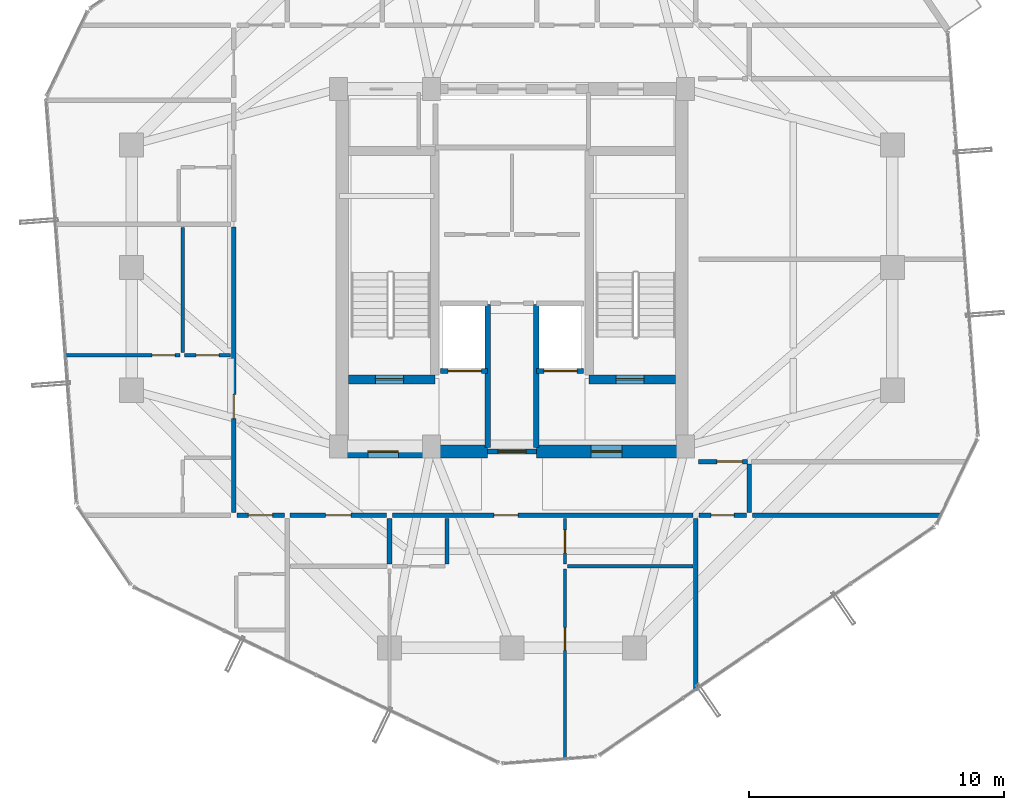
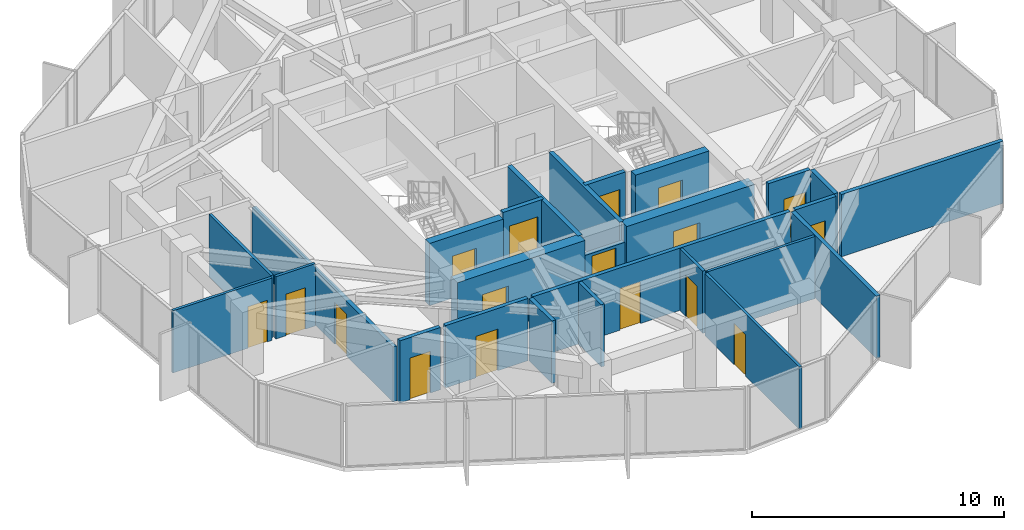
# One storey, part 30 of 34: 26 walls, 17 doors, 17 openings.
"""IFC4 building model written with IfcOpenShell, lengths in metres."""

from ifc_helpers import new_model, si_unit, direction, frame, frame_2d, origin, place, context, subcontext, project, spatial, rectangle, extrude, source, transform, mapped, material, layer, layer_set, type_object, element, fill, save


model = new_model("IFC4")

# Units and contexts
model_context = context("Model", 3, precision=1e-05, world=origin(), true_north=direction((0.0, 1.0)))
body_context = subcontext(model_context, "Body", "Model", "MODEL_VIEW")
ifc_project = project(units=[si_unit("LENGTHUNIT", "METRE"), si_unit("AREAUNIT", "SQUARE_METRE"), si_unit("VOLUMEUNIT", "CUBIC_METRE"), si_unit("PLANEANGLEUNIT", "RADIAN"), si_unit("MASSUNIT", "GRAM", prefix="KILO")], contexts=[model_context])

# Site, building, storey
site_placement = place(None, origin())
site = spatial("IfcSite", under=ifc_project, at=site_placement, CompositionType="ELEMENT")
building_placement = place(site_placement, origin())
building = spatial("IfcBuilding", under=site, at=building_placement, Name="Veraguas Prism Commons", CompositionType="ELEMENT")
storey_placement = place(building_placement, frame((0.0, 0.0, 191.85009765625)))
storey = spatial("IfcBuildingStorey", under=building, at=storey_placement, Name="L54", CompositionType="ELEMENT", Elevation=191.85009765625)

# Wall, opening, door
ifc_material_1 = material(Name="Concrete C50/60", Category="concrete")
ifc_layer_1 = layer(ifc_material_1, 0.35009765625, Name="Core Internal Shear Wall Upper RC 350", Category="concrete")
ifc_layer_set_1 = layer_set([ifc_layer_1], Name="Concrete C50/60")
wall_type_1 = type_object("IfcWallType", Name="Core Internal Shear Wall Upper RC 350", PredefinedType="SHEAR", material=ifc_layer_set_1)
wall_1_placement = place(storey_placement, frame((17.60009765625, 19.625, 0.0), z_axis=(0.0, 0.0, 1.0), x_axis=(1.0, 0.0, 0.0)))
wall_1 = element("IfcWall", 1, at=wall_1_placement, inside=storey, type_object=wall_type_1, Name="Stair ST-01 South Shear Wall L54", PredefinedType="SHEAR", context=body_context, shape_type="SweptSolid", body=[
    extrude(rectangle(XDim=3.375, YDim=0.35009765625, at=frame_2d((1.6875, 0.0))), origin(), (0.0, 0.0, 1.0), 3.014892578125),
])
opening_1_placement = place(wall_1_placement, frame((1.050048828125, 0.0, 0.0)))
opening_1 = element("IfcOpeningElement", 2, at=opening_1_placement, cuts=wall_1, Name="Opening DR-05", PredefinedType="OPENING", context=body_context, shape_type="SweptSolid", body=[
    extrude(rectangle(XDim=1.10009765625, YDim=2.030029296875, at=frame_2d((0.550048828125, 1.01513671875))), frame((0.0, 0.18505859375, 0.0), z_axis=(0.0, -1.0, 0.0), x_axis=(1.0, 0.0, 0.0)), (0.0, 0.0, 1.0), 0.3701171875),
])
ifc_material_2 = material(Name="Steel fire-rated door assembly", Category="steel")
door_type_1 = type_object("IfcDoorType", Name="Protected Stair and Refuge Fire Door 1100x2030", OperationType="NOTDEFINED", PredefinedType="DOOR", material=ifc_material_2)
shared_shape_1 = source(origin(), body_context, "Body", "SweptSolid", [
    extrude(rectangle(XDim=1.10009765625, YDim=2.030029296875, at=frame_2d((0.550048828125, 1.01513671875))), frame((0.0, 0.02490234375, 0.0), z_axis=(0.0, -1.0, 0.0), x_axis=(1.0, 0.0, 0.0)), (0.0, 0.0, 1.0), 0.050048828125),
])
door_1_placement = place(opening_1_placement, origin())
door_1 = element("IfcDoor", 3, at=door_1_placement, inside=storey, type_object=door_type_1, Name="Stair ST-01 Enclosure Door L54", OperationType="SINGLE_SWING_LEFT", OverallHeight=2.030029296875, OverallWidth=1.10009765625, PredefinedType="DOOR", context=body_context, shape_type="MappedRepresentation", body=[
    mapped(shared_shape_1, transform((0.0, 0.0, 0.0), scale=1.0)),
])
fill(opening_1, door_1)

wall_2_placement = place(storey_placement, frame((27.02490234375, 19.625, 0.0), z_axis=(0.0, 0.0, 1.0), x_axis=(1.0, 0.0, 0.0)))
wall_2 = element("IfcWall", 4, at=wall_2_placement, inside=storey, type_object=wall_type_1, Name="Stair ST-02 South Shear Wall L54", PredefinedType="SHEAR", context=body_context, shape_type="SweptSolid", body=[
    extrude(rectangle(XDim=3.375, YDim=0.35009765625, at=frame_2d((1.6875, 0.0))), origin(), (0.0, 0.0, 1.0), 3.014892578125),
])
opening_2_placement = place(wall_2_placement, frame((1.050048828125, 0.0, 0.0)))
opening_2 = element("IfcOpeningElement", 5, at=opening_2_placement, cuts=wall_2, Name="Opening DR-05", PredefinedType="OPENING", context=body_context, shape_type="SweptSolid", body=[
    extrude(rectangle(XDim=1.10009765625, YDim=2.030029296875, at=frame_2d((0.550048828125, 1.01513671875))), frame((0.0, 0.18505859375, 0.0), z_axis=(0.0, -1.0, 0.0), x_axis=(1.0, 0.0, 0.0)), (0.0, 0.0, 1.0), 0.3701171875),
])
door_2_placement = place(opening_2_placement, origin())
door_2 = element("IfcDoor", 6, at=door_2_placement, inside=storey, type_object=door_type_1, Name="Stair ST-02 Enclosure Door L54", OperationType="SINGLE_SWING_RIGHT", OverallHeight=2.030029296875, OverallWidth=1.10009765625, PredefinedType="DOOR", context=body_context, shape_type="MappedRepresentation", body=[
    mapped(shared_shape_1, transform((0.0, 0.0, 0.0), scale=1.0)),
])
fill(opening_2, door_2)

ifc_layer_2 = layer(ifc_material_1, 0.5, Name="Core Outer Shear Wall Upper RC 500", Category="concrete")
ifc_layer_set_2 = layer_set([ifc_layer_2], Name="Concrete C50/60")
wall_type_2 = type_object("IfcWallType", Name="Core Outer Shear Wall Upper RC 500", PredefinedType="SHEAR", material=ifc_layer_set_2)
wall_3_placement = place(storey_placement, frame((17.199951171875, 16.800048828125, 0.0), z_axis=(0.0, 0.0, 1.0), x_axis=(1.0, 0.0, 0.0)))
wall_3 = element("IfcWall", 7, at=wall_3_placement, inside=storey, type_object=wall_type_2, Name="Central Core South-West Shear Wall L54", PredefinedType="SHEAR", context=body_context, shape_type="SweptSolid", body=[
    extrude(rectangle(XDim=5.85009765625, YDim=0.5, at=frame_2d((2.925048828125, 0.0))), origin(), (0.0, 0.0, 1.0), 3.014892578125),
])
opening_3_placement = place(wall_3_placement, frame((1.14990234375, 0.0, 0.0)))
opening_3 = element("IfcOpeningElement", 8, at=opening_3_placement, cuts=wall_3, Name="Opening DR-06", PredefinedType="OPENING", context=body_context, shape_type="SweptSolid", body=[
    extrude(rectangle(XDim=1.199951171875, YDim=2.030029296875, at=frame_2d((0.60009765625, 1.01513671875))), frame((0.0, 0.260009765625, 0.0), z_axis=(0.0, -1.0, 0.0), x_axis=(1.0, 0.0, 0.0)), (0.0, 0.0, 1.0), 0.52001953125),
])
door_type_2 = type_object("IfcDoorType", Name="Firefighting Lobby Smoke Door 1200x2030", OperationType="NOTDEFINED", PredefinedType="DOOR", material=ifc_material_2)
shared_shape_2 = source(origin(), body_context, "Body", "SweptSolid", [
    extrude(rectangle(XDim=1.199951171875, YDim=2.030029296875, at=frame_2d((0.60009765625, 1.01513671875))), frame((0.0, 0.02490234375, 0.0), z_axis=(0.0, -1.0, 0.0), x_axis=(1.0, 0.0, 0.0)), (0.0, 0.0, 1.0), 0.050048828125),
])
door_3_placement = place(opening_3_placement, origin())
door_3 = element("IfcDoor", 9, at=door_3_placement, inside=storey, type_object=door_type_2, Name="West FF Lobby Door L54", OperationType="SINGLE_SWING_RIGHT", OverallHeight=2.030029296875, OverallWidth=1.199951171875, PredefinedType="DOOR", context=body_context, shape_type="MappedRepresentation", body=[
    mapped(shared_shape_2, transform((0.0, 0.0, 0.0), scale=1.0)),
])
fill(opening_3, door_3)

wall_4_placement = place(storey_placement, frame((24.949951171875, 16.800048828125, 0.0), z_axis=(0.0, 0.0, 1.0), x_axis=(1.0, 0.0, 0.0)))
wall_4 = element("IfcWall", 10, at=wall_4_placement, inside=storey, type_object=wall_type_2, Name="Central Core South-East Shear Wall L54", PredefinedType="SHEAR", context=body_context, shape_type="SweptSolid", body=[
    extrude(rectangle(XDim=5.85009765625, YDim=0.5, at=frame_2d((2.925048828125, 0.0))), origin(), (0.0, 0.0, 1.0), 3.014892578125),
])
opening_4_placement = place(wall_4_placement, frame((2.14990234375, 0.0, 0.0)))
opening_4 = element("IfcOpeningElement", 11, at=opening_4_placement, cuts=wall_4, Name="Opening DR-06", PredefinedType="OPENING", context=body_context, shape_type="SweptSolid", body=[
    extrude(rectangle(XDim=1.199951171875, YDim=2.030029296875, at=frame_2d((0.60009765625, 1.01513671875))), frame((0.0, 0.260009765625, 0.0), z_axis=(0.0, -1.0, 0.0), x_axis=(1.0, 0.0, 0.0)), (0.0, 0.0, 1.0), 0.52001953125),
])
door_4_placement = place(opening_4_placement, origin())
door_4 = element("IfcDoor", 12, at=door_4_placement, inside=storey, type_object=door_type_2, Name="East FF Lobby Door L54", OperationType="SINGLE_SWING_RIGHT", OverallHeight=2.030029296875, OverallWidth=1.199951171875, PredefinedType="DOOR", context=body_context, shape_type="MappedRepresentation", body=[
    mapped(shared_shape_2, transform((0.0, 0.0, 0.0), scale=1.0)),
])
fill(opening_4, door_4)

# Wall
ifc_material_3 = material(Name="Autoclaved aerated masonry block 10 MPa", Category="masonry")
ifc_layer_3 = layer(ifc_material_3, 0.179931640625, Name="Corridor and Inter-Tenancy Partition 180", Category="masonry")
ifc_layer_set_3 = layer_set([ifc_layer_3], Name="Autoclaved aerated masonry block 10 MPa")
wall_type_3 = type_object("IfcWallType", Name="Corridor and Inter-Tenancy Partition 180", PredefinedType="PARTITIONING", material=ifc_layer_set_3)
wall_5_placement = place(storey_placement, frame((31.199951171875, 14.179931640625, 0.0), z_axis=(0.0, 0.0, 1.0), x_axis=(0.0, -1.0, 0.0)))
element("IfcWall", 13, at=wall_5_placement, inside=storey, type_object=wall_type_3, Name="WL-L54-PT002", PredefinedType="PARTITIONING", context=body_context, shape_type="SweptSolid", body=[
    extrude(rectangle(XDim=6.7431640625, YDim=0.179931640625, at=frame_2d((3.37158203125, 0.0))), origin(), (0.0, 0.0, 1.0), 3.014892578125),
])

# Wall, opening, door
wall_6_placement = place(storey_placement, frame((15.31005859375, 14.300048828125, 0.0), z_axis=(0.0, 0.0, 1.0), x_axis=(1.0, 0.0, 0.0)))
wall_6 = element("IfcWall", 14, at=wall_6_placement, inside=storey, type_object=wall_type_3, Name="WL-L54-PT003", PredefinedType="PARTITIONING", context=body_context, shape_type="SweptSolid", body=[
    extrude(rectangle(XDim=3.780029296875, YDim=0.179931640625, at=frame_2d((1.89013671875, 0.0))), origin(), (0.0, 0.0, 1.0), 3.014892578125),
])
opening_5_placement = place(wall_6_placement, frame((1.389892578125, 0.0, 0.0)))
opening_5 = element("IfcOpeningElement", 15, at=opening_5_placement, cuts=wall_6, Name="Opening DR-13", PredefinedType="OPENING", context=body_context, shape_type="SweptSolid", body=[
    extrude(rectangle(XDim=1.0, YDim=2.010009765625, at=frame_2d((0.5, 1.0048828125))), frame((0.0, 0.099853515625, 0.0), z_axis=(0.0, -1.0, 0.0), x_axis=(1.0, 0.0, 0.0)), (0.0, 0.0, 1.0), 0.199951171875),
])
door_type_3 = type_object("IfcDoorType", Name="Core Accessible WC and Clinic Fire Door 1000x2010", OperationType="NOTDEFINED", PredefinedType="DOOR", material=ifc_material_2)
shared_shape_3 = source(origin(), body_context, "Body", "SweptSolid", [
    extrude(rectangle(XDim=1.0, YDim=2.010009765625, at=frame_2d((0.5, 1.0048828125))), frame((0.0, 0.02490234375, 0.0), z_axis=(0.0, -1.0, 0.0), x_axis=(1.0, 0.0, 0.0)), (0.0, 0.0, 1.0), 0.050048828125),
])
door_5_placement = place(opening_5_placement, origin())
door_5 = element("IfcDoor", 16, at=door_5_placement, inside=storey, type_object=door_type_3, Name="Residents Study Alcove 54A Door", OperationType="SINGLE_SWING_RIGHT", OverallHeight=2.010009765625, OverallWidth=1.0, PredefinedType="DOOR", context=body_context, shape_type="MappedRepresentation", body=[
    mapped(shared_shape_3, transform((0.0, 0.0, 0.0), scale=1.0)),
])
fill(opening_5, door_5)

wall_7_placement = place(storey_placement, frame((19.31005859375, 14.300048828125, 0.0), z_axis=(0.0, 0.0, 1.0), x_axis=(1.0, 0.0, 0.0)))
wall_7 = element("IfcWall", 17, at=wall_7_placement, inside=storey, type_object=wall_type_3, Name="WL-L54-PT004", PredefinedType="PARTITIONING", context=body_context, shape_type="SweptSolid", body=[
    extrude(rectangle(XDim=11.780029296875, YDim=0.179931640625, at=frame_2d((5.89013671875, 0.0))), origin(), (0.0, 0.0, 1.0), 3.014892578125),
])
opening_6_placement = place(wall_7_placement, frame((3.97998046875, 0.0, 0.0)))
opening_6 = element("IfcOpeningElement", 18, at=opening_6_placement, cuts=wall_7, Name="Opening DR-01", PredefinedType="OPENING", context=body_context, shape_type="SweptSolid", body=[
    extrude(rectangle(XDim=0.949951171875, YDim=2.02001953125, at=frame_2d((0.47509765625, 1.010009765625))), frame((0.0, 0.099853515625, 0.0), z_axis=(0.0, -1.0, 0.0), x_axis=(1.0, 0.0, 0.0)), (0.0, 0.0, 1.0), 0.199951171875),
])
ifc_material_4 = material(Name="Anodised aluminium EN AW-6063 T6", Category="aluminium")
door_type_4 = type_object("IfcDoorType", Name="Apartment Entrance Fire Door 950x2020", OperationType="NOTDEFINED", PredefinedType="DOOR", material=ifc_material_4)
shared_shape_4 = source(origin(), body_context, "Body", "SweptSolid", [
    extrude(rectangle(XDim=0.949951171875, YDim=2.02001953125, at=frame_2d((0.47509765625, 1.010009765625))), frame((0.0, 0.02490234375, 0.0), z_axis=(0.0, -1.0, 0.0), x_axis=(1.0, 0.0, 0.0)), (0.0, 0.0, 1.0), 0.050048828125),
])
door_6_placement = place(opening_6_placement, origin())
door_6 = element("IfcDoor", 19, at=door_6_placement, inside=storey, type_object=door_type_4, Name="Flat 54A Entrance Door", OperationType="SINGLE_SWING_LEFT", OverallHeight=2.02001953125, OverallWidth=0.949951171875, PredefinedType="DOOR", context=body_context, shape_type="MappedRepresentation", body=[
    mapped(shared_shape_4, transform((0.0, 0.0, 0.0), scale=1.0)),
])
fill(opening_6, door_6)

# Wall
wall_8_placement = place(storey_placement, frame((19.199951171875, 14.179931640625, 0.0), z_axis=(0.0, 0.0, 1.0), x_axis=(0.0, -1.0, 0.0)))
element("IfcWall", 20, at=wall_8_placement, inside=storey, type_object=wall_type_3, Name="WL-L54-PT006", PredefinedType="PARTITIONING", context=body_context, shape_type="SweptSolid", body=[
    extrude(rectangle(XDim=1.800048828125, YDim=0.179931640625, at=frame_2d((0.89990234375, 0.0))), origin(), (0.0, 0.0, 1.0), 3.014892578125),
])

# Wall, opening, door
wall_9_placement = place(storey_placement, frame((13.10009765625, 14.409912109375, 0.0), z_axis=(0.0, 0.0, 1.0), x_axis=(0.0, 1.0, 0.0)))
wall_9 = element("IfcWall", 21, at=wall_9_placement, inside=storey, type_object=wall_type_3, Name="WL-L54-PT024", PredefinedType="PARTITIONING", context=body_context, shape_type="SweptSolid", body=[
    extrude(rectangle(XDim=11.176025390625, YDim=0.179931640625, at=frame_2d((5.587890625, 0.0))), origin(), (0.0, 0.0, 1.0), 2.661865234375),
])
opening_7_placement = place(wall_9_placement, frame((3.674072265625, 0.0, 0.0)))
opening_7 = element("IfcOpeningElement", 22, at=opening_7_placement, cuts=wall_9, Name="Opening DR-01", PredefinedType="OPENING", context=body_context, shape_type="SweptSolid", body=[
    extrude(rectangle(XDim=0.949951171875, YDim=2.02001953125, at=frame_2d((0.47509765625, 1.010009765625))), frame((0.0, 0.099853515625, 0.0), z_axis=(0.0, -1.0, 0.0), x_axis=(1.0, 0.0, 0.0)), (0.0, 0.0, 1.0), 0.199951171875),
])
door_7_placement = place(opening_7_placement, origin())
door_7 = element("IfcDoor", 23, at=door_7_placement, inside=storey, type_object=door_type_4, Name="Flat 54B Entrance Door", OperationType="SINGLE_SWING_RIGHT", OverallHeight=2.02001953125, OverallWidth=0.949951171875, PredefinedType="DOOR", context=body_context, shape_type="MappedRepresentation", body=[
    mapped(shared_shape_4, transform((0.0, 0.0, 0.0), scale=1.0)),
])
fill(opening_7, door_7)

# Wall
wall_10_placement = place(storey_placement, frame((33.300048828125, 14.39990234375, 0.0), z_axis=(0.0, 0.0, 1.0), x_axis=(0.0, 1.0, 0.0)))
element("IfcWall", 24, at=wall_10_placement, inside=storey, type_object=wall_type_3, Name="WL-L54-PT037", PredefinedType="PARTITIONING", context=body_context, shape_type="SweptSolid", body=[
    extrude(rectangle(XDim=1.900146484375, YDim=0.179931640625, at=frame_2d((0.9501953125, 0.0))), origin(), (0.0, 0.0, 1.0), 3.014892578125),
])

# Wall, opening, door
wall_11_placement = place(storey_placement, frame((31.300048828125, 16.39990234375, 0.0), z_axis=(0.0, 0.0, 1.0), x_axis=(1.0, 0.0, 0.0)))
wall_11 = element("IfcWall", 25, at=wall_11_placement, inside=storey, type_object=wall_type_3, Name="WL-L54-PT039", PredefinedType="PARTITIONING", context=body_context, shape_type="SweptSolid", body=[
    extrude(rectangle(XDim=1.919921875, YDim=0.179931640625, at=frame_2d((0.9599609375, 0.0))), origin(), (0.0, 0.0, 1.0), 3.014892578125),
])
opening_8_placement = place(wall_11_placement, frame((0.719970703125, 0.0, 0.0)))
opening_8 = element("IfcOpeningElement", 26, at=opening_8_placement, cuts=wall_11, Name="Opening DR-13", PredefinedType="OPENING", context=body_context, shape_type="SweptSolid", body=[
    extrude(rectangle(XDim=1.0, YDim=2.010009765625, at=frame_2d((0.5, 1.0048828125))), frame((0.0, 0.099853515625, 0.0), z_axis=(0.0, -1.0, 0.0), x_axis=(1.0, 0.0, 0.0)), (0.0, 0.0, 1.0), 0.199951171875),
])
door_8_placement = place(opening_8_placement, origin())
door_8 = element("IfcDoor", 27, at=door_8_placement, inside=storey, type_object=door_type_3, Name="Panorama Lounge Door L54", OperationType="SINGLE_SWING_LEFT", OverallHeight=2.010009765625, OverallWidth=1.0, PredefinedType="DOOR", context=body_context, shape_type="MappedRepresentation", body=[
    mapped(shared_shape_3, transform((0.0, 0.0, 0.0), scale=1.0)),
])
fill(opening_8, door_8)

wall_12_placement = place(storey_placement, frame((13.219970703125, 14.300048828125, 0.0), z_axis=(0.0, 0.0, 1.0), x_axis=(1.0, 0.0, 0.0)))
wall_12 = element("IfcWall", 28, at=wall_12_placement, inside=storey, type_object=wall_type_3, Name="WL-L54-PT043", PredefinedType="PARTITIONING", context=body_context, shape_type="SweptSolid", body=[
    extrude(rectangle(XDim=1.860107421875, YDim=0.179931640625, at=frame_2d((0.93017578125, 0.0))), origin(), (0.0, 0.0, 1.0), 3.014892578125),
])
opening_9_placement = place(wall_12_placement, frame((0.455078125, 0.0, 0.0)))
opening_9 = element("IfcOpeningElement", 29, at=opening_9_placement, cuts=wall_12, Name="Opening DR-01", PredefinedType="OPENING", context=body_context, shape_type="SweptSolid", body=[
    extrude(rectangle(XDim=0.949951171875, YDim=2.02001953125, at=frame_2d((0.47509765625, 1.010009765625))), frame((0.0, 0.099853515625, 0.0), z_axis=(0.0, -1.0, 0.0), x_axis=(1.0, 0.0, 0.0)), (0.0, 0.0, 1.0), 0.199951171875),
])
door_9_placement = place(opening_9_placement, origin())
door_9 = element("IfcDoor", 30, at=door_9_placement, inside=storey, type_object=door_type_4, Name="Studio 54D Entrance Door", OperationType="SINGLE_SWING_LEFT", OverallHeight=2.02001953125, OverallWidth=0.949951171875, PredefinedType="DOOR", context=body_context, shape_type="MappedRepresentation", body=[
    mapped(shared_shape_4, transform((0.0, 0.0, 0.0), scale=1.0)),
])
fill(opening_9, door_9)

# Wall
wall_13_placement = place(storey_placement, frame((33.419921875, 14.300048828125, 0.0), z_axis=(0.0, 0.0, 1.0), x_axis=(1.0, 0.0, 0.0)))
element("IfcWall", 31, at=wall_13_placement, inside=storey, type_object=wall_type_3, Name="WL-L54-PT047", PredefinedType="PARTITIONING", context=body_context, shape_type="SweptSolid", body=[
    extrude(rectangle(XDim=7.41162109375, YDim=0.179931640625, at=frame_2d((3.705810546875, 0.0))), origin(), (0.0, 0.0, 1.0), 3.014892578125),
])

# Wall, opening, door
wall_14_placement = place(storey_placement, frame((31.320068359375, 14.300048828125, 0.0), z_axis=(0.0, 0.0, 1.0), x_axis=(1.0, 0.0, 0.0)))
wall_14 = element("IfcWall", 32, at=wall_14_placement, inside=storey, type_object=wall_type_3, Name="WL-L54-PT048", PredefinedType="PARTITIONING", context=body_context, shape_type="SweptSolid", body=[
    extrude(rectangle(XDim=1.85986328125, YDim=0.179931640625, at=frame_2d((0.929931640625, 0.0))), origin(), (0.0, 0.0, 1.0), 3.014892578125),
])
opening_10_placement = place(wall_14_placement, frame((0.47998046875, 0.0, 0.0)))
opening_10 = element("IfcOpeningElement", 33, at=opening_10_placement, cuts=wall_14, Name="Opening DR-14", PredefinedType="OPENING", context=body_context, shape_type="SweptSolid", body=[
    extrude(rectangle(XDim=0.89990234375, YDim=2.010009765625, at=frame_2d((0.449951171875, 1.0048828125))), frame((0.0, 0.099853515625, 0.0), z_axis=(0.0, -1.0, 0.0), x_axis=(1.0, 0.0, 0.0)), (0.0, 0.0, 1.0), 0.199951171875),
])
door_type_5 = type_object("IfcDoorType", Name="Core Service Room Fire Door 900x2010", OperationType="NOTDEFINED", PredefinedType="DOOR", material=ifc_material_2)
shared_shape_5 = source(origin(), body_context, "Body", "SweptSolid", [
    extrude(rectangle(XDim=0.89990234375, YDim=2.010009765625, at=frame_2d((0.449951171875, 1.0048828125))), frame((0.0, 0.02490234375, 0.0), z_axis=(0.0, -1.0, 0.0), x_axis=(1.0, 0.0, 0.0)), (0.0, 0.0, 1.0), 0.050048828125),
])
door_10_placement = place(opening_10_placement, origin())
door_10 = element("IfcDoor", 34, at=door_10_placement, inside=storey, type_object=door_type_5, Name="Residents Corner Study Room SE Door", OperationType="SINGLE_SWING_LEFT", OverallHeight=2.010009765625, OverallWidth=0.89990234375, PredefinedType="DOOR", context=body_context, shape_type="MappedRepresentation", body=[
    mapped(shared_shape_5, transform((0.0, 0.0, 0.0), scale=1.0)),
])
fill(opening_10, door_10)

ifc_material_5 = material(Name="Lightweight acoustic gypsum board")
ifc_layer_4 = layer(ifc_material_5, 0.125, Name="Internal Apartment Room Partition 125")
ifc_layer_set_4 = layer_set([ifc_layer_4], Name="Lightweight acoustic gypsum board")
wall_type_4 = type_object("IfcWallType", Name="Internal Apartment Room Partition 125", PredefinedType="PARTITIONING", material=ifc_layer_set_4)
wall_15_placement = place(storey_placement, frame((26.080078125, 14.179931640625, 0.0), z_axis=(0.0, 0.0, 1.0), x_axis=(0.0, -1.0, 0.0)))
wall_15 = element("IfcWall", 35, at=wall_15_placement, inside=storey, type_object=wall_type_4, Name="WL-L54-PT010", PredefinedType="PARTITIONING", context=body_context, shape_type="SweptSolid", body=[
    extrude(rectangle(XDim=1.800048828125, YDim=0.125, at=frame_2d((0.89990234375, 0.0))), origin(), (0.0, 0.0, 1.0), 3.014892578125),
])
opening_11_placement = place(wall_15_placement, frame((0.449951171875, 0.0, 0.0)))
opening_11 = element("IfcOpeningElement", 36, at=opening_11_placement, cuts=wall_15, Name="Opening DR-02", PredefinedType="OPENING", context=body_context, shape_type="SweptSolid", body=[
    extrude(rectangle(XDim=0.89990234375, YDim=2.010009765625, at=frame_2d((0.449951171875, 1.0048828125))), frame((0.0, 0.072509765625, 0.0), z_axis=(0.0, -1.0, 0.0), x_axis=(1.0, 0.0, 0.0)), (0.0, 0.0, 1.0), 0.14501953125),
])
ifc_material_6 = material(Name="Timber solid core hardwood", Category="wood")
door_type_6 = type_object("IfcDoorType", Name="Internal Habitable Room Door 900x2010", OperationType="NOTDEFINED", PredefinedType="DOOR", material=ifc_material_6)
door_11_placement = place(opening_11_placement, origin())
door_11 = element("IfcDoor", 37, at=door_11_placement, inside=storey, type_object=door_type_6, Name="Flat 54A Kitchen Door", OperationType="SINGLE_SWING_RIGHT", OverallHeight=2.010009765625, OverallWidth=0.89990234375, PredefinedType="DOOR", context=body_context, shape_type="MappedRepresentation", body=[
    mapped(shared_shape_5, transform((0.0, 0.0, 0.0), scale=1.0)),
])
fill(opening_11, door_11)

# Wall
wall_16_placement = place(storey_placement, frame((26.179931640625, 12.300048828125, 0.0), z_axis=(0.0, 0.0, 1.0), x_axis=(1.0, 0.0, 0.0)))
element("IfcWall", 38, at=wall_16_placement, inside=storey, type_object=wall_type_4, Name="WL-L54-PT011", PredefinedType="PARTITIONING", context=body_context, shape_type="SweptSolid", body=[
    extrude(rectangle(XDim=4.900146484375, YDim=0.125, at=frame_2d((2.4501953125, 0.0))), origin(), (0.0, 0.0, 1.0), 3.014892578125),
])

# Wall, opening, door
wall_17_placement = place(storey_placement, frame((26.080078125, 12.199951171875, 0.0), z_axis=(0.0, 0.0, 1.0), x_axis=(0.0, -1.0, 0.0)))
wall_17 = element("IfcWall", 39, at=wall_17_placement, inside=storey, type_object=wall_type_4, Name="WL-L54-PT012", PredefinedType="PARTITIONING", context=body_context, shape_type="SweptSolid", body=[
    extrude(rectangle(XDim=7.471435546875, YDim=0.125, at=frame_2d((3.73583984375, 0.0))), origin(), (0.0, 0.0, 1.0), 3.014892578125),
])
opening_12_placement = place(wall_17_placement, frame((2.29833984375, 0.0, 0.0)))
opening_12 = element("IfcOpeningElement", 40, at=opening_12_placement, cuts=wall_17, Name="Opening DR-02", PredefinedType="OPENING", context=body_context, shape_type="SweptSolid", body=[
    extrude(rectangle(XDim=0.89990234375, YDim=2.010009765625, at=frame_2d((0.449951171875, 1.0048828125))), frame((0.0, 0.072509765625, 0.0), z_axis=(0.0, -1.0, 0.0), x_axis=(1.0, 0.0, 0.0)), (0.0, 0.0, 1.0), 0.14501953125),
])
door_12_placement = place(opening_12_placement, origin())
door_12 = element("IfcDoor", 41, at=door_12_placement, inside=storey, type_object=door_type_6, Name="Flat 54A Bedroom 1 Door", OperationType="SINGLE_SWING_LEFT", OverallHeight=2.010009765625, OverallWidth=0.89990234375, PredefinedType="DOOR", context=body_context, shape_type="MappedRepresentation", body=[
    mapped(shared_shape_5, transform((0.0, 0.0, 0.0), scale=1.0)),
])
fill(opening_12, door_12)

wall_18_placement = place(storey_placement, frame((12.97998046875, 20.568115234375, 0.0), z_axis=(0.0, 0.0, 1.0), x_axis=(-1.0, 0.0, 0.0)))
wall_18 = element("IfcWall", 42, at=wall_18_placement, inside=storey, type_object=wall_type_4, Name="WL-L54-PT027", PredefinedType="PARTITIONING", context=body_context, shape_type="SweptSolid", body=[
    extrude(rectangle(XDim=1.800048828125, YDim=0.125, at=frame_2d((0.89990234375, 0.0))), origin(), (0.0, 0.0, 1.0), 3.014892578125),
])
opening_13_placement = place(wall_18_placement, frame((0.449951171875, 0.0, 0.0)))
opening_13 = element("IfcOpeningElement", 43, at=opening_13_placement, cuts=wall_18, Name="Opening DR-02", PredefinedType="OPENING", context=body_context, shape_type="SweptSolid", body=[
    extrude(rectangle(XDim=0.89990234375, YDim=2.010009765625, at=frame_2d((0.449951171875, 1.0048828125))), frame((0.0, 0.072509765625, 0.0), z_axis=(0.0, -1.0, 0.0), x_axis=(1.0, 0.0, 0.0)), (0.0, 0.0, 1.0), 0.14501953125),
])
door_13_placement = place(opening_13_placement, origin())
door_13 = element("IfcDoor", 44, at=door_13_placement, inside=storey, type_object=door_type_6, Name="Flat 54B Kitchen Door", OperationType="SINGLE_SWING_RIGHT", OverallHeight=2.010009765625, OverallWidth=0.89990234375, PredefinedType="DOOR", context=body_context, shape_type="MappedRepresentation", body=[
    mapped(shared_shape_5, transform((0.0, 0.0, 0.0), scale=1.0)),
])
fill(opening_13, door_13)

# Wall
wall_19_placement = place(storey_placement, frame((11.10009765625, 20.66796875, 0.0), z_axis=(0.0, 0.0, 1.0), x_axis=(0.0, 1.0, 0.0)))
element("IfcWall", 45, at=wall_19_placement, inside=storey, type_object=wall_type_4, Name="WL-L54-PT028", PredefinedType="PARTITIONING", context=body_context, shape_type="SweptSolid", body=[
    extrude(rectangle(XDim=4.907958984375, YDim=0.125, at=frame_2d((2.4541015625, 0.0))), origin(), (0.0, 0.0, 1.0), 3.014892578125),
])

# Wall, opening, door
wall_20_placement = place(storey_placement, frame((11.0, 20.568115234375, 0.0), z_axis=(0.0, 0.0, 1.0), x_axis=(-1.0, 0.0, 0.0)))
wall_20 = element("IfcWall", 46, at=wall_20_placement, inside=storey, type_object=wall_type_4, Name="WL-L54-PT029", PredefinedType="PARTITIONING", context=body_context, shape_type="SweptSolid", body=[
    extrude(rectangle(XDim=4.5322265625, YDim=0.125, at=frame_2d((2.26611328125, 0.0))), origin(), (0.0, 0.0, 1.0), 3.014892578125),
])
opening_14_placement = place(wall_20_placement, frame((0.199951171875, 0.0, 0.0)))
opening_14 = element("IfcOpeningElement", 47, at=opening_14_placement, cuts=wall_20, Name="Opening DR-02", PredefinedType="OPENING", context=body_context, shape_type="SweptSolid", body=[
    extrude(rectangle(XDim=0.89990234375, YDim=2.010009765625, at=frame_2d((0.449951171875, 1.0048828125))), frame((0.0, 0.072509765625, 0.0), z_axis=(0.0, -1.0, 0.0), x_axis=(1.0, 0.0, 0.0)), (0.0, 0.0, 1.0), 0.14501953125),
])
door_14_placement = place(opening_14_placement, origin())
door_14 = element("IfcDoor", 48, at=door_14_placement, inside=storey, type_object=door_type_6, Name="Flat 54B Bedroom 1 Door", OperationType="SINGLE_SWING_LEFT", OverallHeight=2.010009765625, OverallWidth=0.89990234375, PredefinedType="DOOR", context=body_context, shape_type="MappedRepresentation", body=[
    mapped(shared_shape_5, transform((0.0, 0.0, 0.0), scale=1.0)),
])
fill(opening_14, door_14)

ifc_layer_5 = layer(ifc_material_3, 0.199951171875, Name="Rated Shaft and Lobby Block Wall 200", Category="masonry")
ifc_layer_set_5 = layer_set([ifc_layer_5], Name="Autoclaved aerated masonry block 10 MPa")
wall_type_5 = type_object("IfcWallType", Name="Rated Shaft and Lobby Block Wall 200", PredefinedType="SOLIDWALL", material=ifc_layer_set_5)
wall_21_placement = place(storey_placement, frame((23.050048828125, 16.800048828125, 0.0), z_axis=(0.0, 0.0, 1.0), x_axis=(1.0, 0.0, 0.0)))
wall_21 = element("IfcWall", 49, at=wall_21_placement, inside=storey, type_object=wall_type_5, Name="Central Core Lobby Entrance Wall L54", PredefinedType="SOLIDWALL", context=body_context, shape_type="SweptSolid", body=[
    extrude(rectangle(XDim=1.89990234375, YDim=0.199951171875, at=frame_2d((0.949951171875, 0.0))), origin(), (0.0, 0.0, 1.0), 2.164794921875),
])
opening_15_placement = place(wall_21_placement, frame((0.39990234375, 0.0, 0.0)))
opening_15 = element("IfcOpeningElement", 50, at=opening_15_placement, cuts=wall_21, Name="Opening DR-05", PredefinedType="OPENING", context=body_context, shape_type="SweptSolid", body=[
    extrude(rectangle(XDim=1.10009765625, YDim=2.030029296875, at=frame_2d((0.550048828125, 1.01513671875))), frame((0.0, 0.10986328125, 0.0), z_axis=(0.0, -1.0, 0.0), x_axis=(1.0, 0.0, 0.0)), (0.0, 0.0, 1.0), 0.219970703125),
])
door_15_placement = place(opening_15_placement, origin())
door_15 = element("IfcDoor", 51, at=door_15_placement, inside=storey, type_object=door_type_1, Name="Central Lobby Door L54", OperationType="SINGLE_SWING_LEFT", OverallHeight=2.030029296875, OverallWidth=1.10009765625, PredefinedType="DOOR", context=body_context, shape_type="MappedRepresentation", body=[
    mapped(shared_shape_1, transform((0.0, 0.0, 0.0), scale=1.0)),
])
fill(opening_15, door_15)

wall_22_placement = place(storey_placement, frame((21.199951171875, 19.949951171875, 0.0), z_axis=(0.0, 0.0, 1.0), x_axis=(1.0, 0.0, 0.0)))
wall_22 = element("IfcWall", 52, at=wall_22_placement, inside=storey, type_object=wall_type_5, Name="Firefighting Lift FFL-1 Front Wall L54", PredefinedType="SOLIDWALL", context=body_context, shape_type="SweptSolid", body=[
    extrude(rectangle(XDim=1.85009765625, YDim=0.199951171875, at=frame_2d((0.925048828125, 0.0))), origin(), (0.0, 0.0, 1.0), 3.014892578125),
])
opening_16_placement = place(wall_22_placement, frame((0.300048828125, 0.0, 0.0)))
opening_16 = element("IfcOpeningElement", 53, at=opening_16_placement, cuts=wall_22, Name="Opening LD-02", PredefinedType="OPENING", context=body_context, shape_type="SweptSolid", body=[
    extrude(rectangle(XDim=1.300048828125, YDim=2.25, at=frame_2d((0.64990234375, 1.125))), frame((0.0, 0.10986328125, 0.0), z_axis=(0.0, -1.0, 0.0), x_axis=(1.0, 0.0, 0.0)), (0.0, 0.0, 1.0), 0.219970703125),
])
ifc_material_7 = material(Name="Stainless steel AISI 316", Category="steel")
door_type_7 = type_object("IfcDoorType", Name="Firefighting Lift Sliding Landing Door 1300x2250", OperationType="NOTDEFINED", PredefinedType="DOOR", material=ifc_material_7)
shared_shape_6 = source(origin(), body_context, "Body", "SweptSolid", [
    extrude(rectangle(XDim=1.300048828125, YDim=2.25, at=frame_2d((0.64990234375, 1.125))), frame((0.0, 0.02490234375, 0.0), z_axis=(0.0, -1.0, 0.0), x_axis=(1.0, 0.0, 0.0)), (0.0, 0.0, 1.0), 0.050048828125),
])
door_16_placement = place(opening_16_placement, origin())
door_16 = element("IfcDoor", 54, at=door_16_placement, inside=storey, type_object=door_type_7, Name="Firefighting Lift FFL-1 Landing Door L54", OperationType="SLIDING_TO_LEFT", OverallHeight=2.25, OverallWidth=1.300048828125, PredefinedType="DOOR", context=body_context, shape_type="MappedRepresentation", body=[
    mapped(shared_shape_6, transform((0.0, 0.0, 0.0), scale=1.0)),
])
fill(opening_16, door_16)

wall_23_placement = place(storey_placement, frame((24.949951171875, 19.949951171875, 0.0), z_axis=(0.0, 0.0, 1.0), x_axis=(1.0, 0.0, 0.0)))
wall_23 = element("IfcWall", 55, at=wall_23_placement, inside=storey, type_object=wall_type_5, Name="Firefighting Lift FFL-2 Front Wall L54", PredefinedType="SOLIDWALL", context=body_context, shape_type="SweptSolid", body=[
    extrude(rectangle(XDim=1.85009765625, YDim=0.199951171875, at=frame_2d((0.925048828125, 0.0))), origin(), (0.0, 0.0, 1.0), 3.014892578125),
])
opening_17_placement = place(wall_23_placement, frame((0.300048828125, 0.0, 0.0)))
opening_17 = element("IfcOpeningElement", 56, at=opening_17_placement, cuts=wall_23, Name="Opening LD-02", PredefinedType="OPENING", context=body_context, shape_type="SweptSolid", body=[
    extrude(rectangle(XDim=1.300048828125, YDim=2.25, at=frame_2d((0.64990234375, 1.125))), frame((0.0, 0.10986328125, 0.0), z_axis=(0.0, -1.0, 0.0), x_axis=(1.0, 0.0, 0.0)), (0.0, 0.0, 1.0), 0.219970703125),
])
door_17_placement = place(opening_17_placement, origin())
door_17 = element("IfcDoor", 57, at=door_17_placement, inside=storey, type_object=door_type_7, Name="Firefighting Lift FFL-2 Front Wall L54", OperationType="SLIDING_TO_LEFT", OverallHeight=2.25, OverallWidth=1.300048828125, PredefinedType="DOOR", context=body_context, shape_type="MappedRepresentation", body=[
    mapped(shared_shape_6, transform((0.0, 0.0, 0.0), scale=1.0)),
])
fill(opening_17, door_17)

# Walls
for number, where, z_axis, x_axis, name in (
    (58, (23.050048828125, 16.949951171875, 0.0), (0.0, 0.0, 1.0), (0.0, 1.0, 0.0), "West FF Lobby Divider Wall L54"),
    (59, (24.949951171875, 16.949951171875, 0.0), (0.0, 0.0, 1.0), (0.0, 1.0, 0.0), "East FF Lobby Divider Wall L54"),
):
    element("IfcWall", number, at=place(storey_placement, frame(where, z_axis=z_axis, x_axis=x_axis)), inside=storey, type_object=wall_type_5, Name=name, PredefinedType="SOLIDWALL", context=body_context, shape_type="SweptSolid", body=[
        extrude(rectangle(XDim=5.60009765625, YDim=0.199951171875, at=frame_2d((2.800048828125, 0.0))), origin(), (0.0, 0.0, 1.0), 3.014892578125),
    ])
ifc_layer_6 = layer(ifc_material_5, 0.14990234375, Name="Wet Room and Clinic Acoustic Partition 150")
ifc_layer_set_6 = layer_set([ifc_layer_6], Name="Lightweight acoustic gypsum board")
wall_type_6 = type_object("IfcWallType", Name="Wet Room and Clinic Acoustic Partition 150", PredefinedType="PARTITIONING", material=ifc_layer_set_6)
wall_24_placement = place(storey_placement, frame((21.449951171875, 14.179931640625, 0.0), z_axis=(0.0, 0.0, 1.0), x_axis=(0.0, -1.0, 0.0)))
element("IfcWall", 60, at=wall_24_placement, inside=storey, type_object=wall_type_6, Name="WL-L54-PT008", PredefinedType="PARTITIONING", context=body_context, shape_type="SweptSolid", body=[
    extrude(rectangle(XDim=1.800048828125, YDim=0.14990234375, at=frame_2d((0.89990234375, 0.0))), origin(), (0.0, 0.0, 1.0), 3.014892578125),
])

save(model, "model.ifc")
